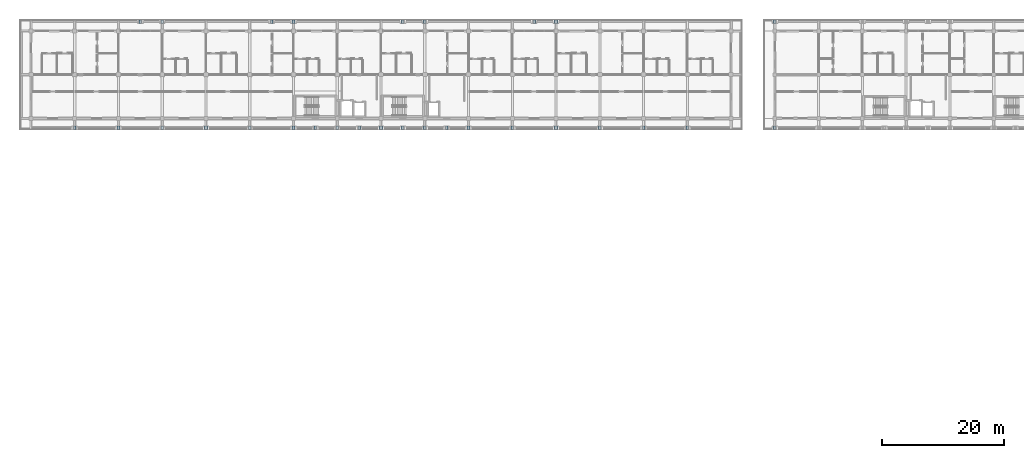
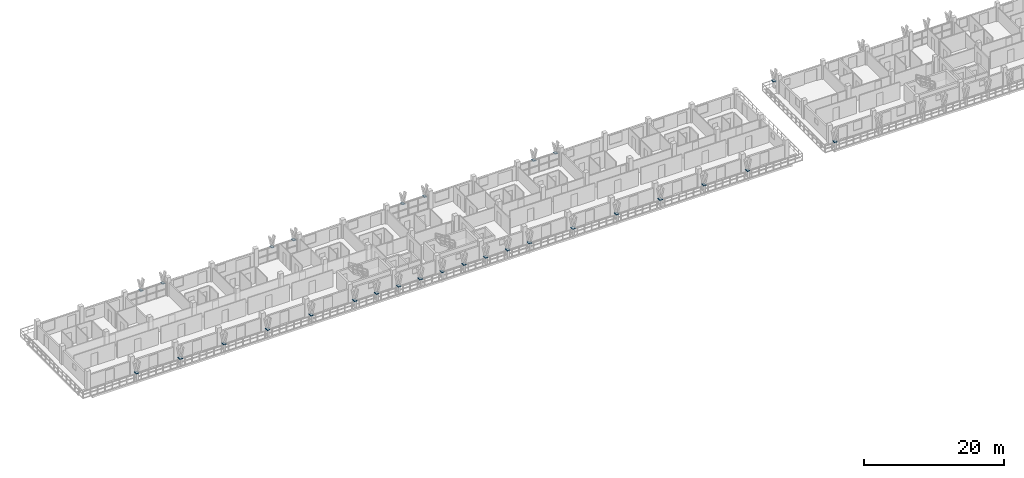
# One storey, part 38 of 78: 29 plates.
"""IFC4 building model written with IfcOpenShell, lengths in metres."""

from ifc_helpers import new_model, si_unit, direction, frame, origin, origin_2d, place, context, subcontext, project, spatial, rectangle, extrude, material, layer, layer_set, type_object, element, save


model = new_model("IFC4")

# Units and contexts
model_context = context("Model", 3, precision=1e-05, world=origin(), true_north=direction((0.0, 1.0)))
body_context = subcontext(model_context, "Body", "Model", "MODEL_VIEW")
ifc_project = project(units=[si_unit("LENGTHUNIT", "METRE"), si_unit("AREAUNIT", "SQUARE_METRE"), si_unit("VOLUMEUNIT", "CUBIC_METRE"), si_unit("PLANEANGLEUNIT", "RADIAN"), si_unit("MASSUNIT", "GRAM", prefix="KILO")], contexts=[model_context])

# Site, building, storey
site_placement = place(None, origin())
site = spatial("IfcSite", under=ifc_project, at=site_placement, CompositionType="ELEMENT")
building_placement = place(site_placement, origin())
building = spatial("IfcBuilding", under=site, at=building_placement, Name="Suanplinth Sawtooth Commons", CompositionType="ELEMENT")
storey_placement = place(building_placement, frame((0.0, 0.0, 15.39990234375)))
storey = spatial("IfcBuildingStorey", under=building, at=storey_placement, Name="L04", CompositionType="ELEMENT", Elevation=15.39990234375)

# Plates
ifc_material = material(Name="Pigmented precast concrete C40/50", Category="concrete")
ifc_layer = layer(ifc_material, 0.06005859375, Name="Precast Y-blade bifurcation node plate 60mm")
ifc_layer_set = layer_set([ifc_layer], Name="Pigmented precast concrete C40/50")
plate_type = type_object("IfcPlateType", Name="PL-04", PredefinedType="USERDEFINED", material=ifc_layer_set)
for number, where, z_axis, x_axis, name in (
    (1, (18.0, 123.919921875, 1.1201171875), (0.0, 0.0, 1.0), (1.0, 0.0, 0.0), "Y-Blade Node Plate L04-A-N-01"),
    (2, (21.60009765625, 123.919921875, 1.1201171875), (0.0, 0.0, 1.0), (1.0, 0.0, 0.0), "Y-Blade Node Plate L04-A-N-02"),
    (3, (39.60009765625, 123.919921875, 1.1201171875), (0.0, 0.0, 1.0), (1.0, 0.0, 0.0), "Y-Blade Node Plate L04-A-N-03"),
    (4, (43.199951171875, 123.919921875, 1.1201171875), (0.0, 0.0, 1.0), (1.0, 0.0, 0.0), "Y-Blade Node Plate L04-A-N-04"),
    (5, (61.199951171875, 123.919921875, 1.1201171875), (0.0, 0.0, 1.0), (1.0, 0.0, 0.0), "Y-Blade Node Plate L04-A-N-05"),
    (6, (64.800048828125, 123.919921875, 1.1201171875), (0.0, 0.0, 1.0), (1.0, 0.0, 0.0), "Y-Blade Node Plate L04-A-N-06"),
    (7, (82.800048828125, 123.919921875, 1.1201171875), (0.0, 0.0, 1.0), (1.0, 0.0, 0.0), "Y-Blade Node Plate L04-A-N-07"),
    (8, (86.39990234375, 123.919921875, 1.1201171875), (0.0, 0.0, 1.0), (1.0, 0.0, 0.0), "Y-Blade Node Plate L04-A-N-08"),
    (9, (7.199951171875, 106.47998046875, 1.1201171875), (0.0, 0.0, 1.0), (1.0, 0.0, 0.0), "Y-Blade Node Plate L04-A-S-09"),
    (10, (14.39990234375, 106.47998046875, 1.1201171875), (0.0, 0.0, 1.0), (1.0, 0.0, 0.0), "Y-Blade Node Plate L04-A-S-10"),
    (11, (21.60009765625, 106.47998046875, 1.1201171875), (0.0, 0.0, 1.0), (1.0, 0.0, 0.0), "Y-Blade Node Plate L04-A-S-11"),
    (12, (28.800048828125, 106.47998046875, 1.1201171875), (0.0, 0.0, 1.0), (1.0, 0.0, 0.0), "Y-Blade Node Plate L04-A-S-12"),
    (13, (36.0, 106.47998046875, 1.1201171875), (0.0, 0.0, 1.0), (1.0, 0.0, 0.0), "Y-Blade Node Plate L04-A-S-13"),
    (14, (43.199951171875, 106.47998046875, 1.1201171875), (0.0, 0.0, 1.0), (1.0, 0.0, 0.0), "Y-Blade Node Plate L04-A-S-14"),
    (15, (46.800048828125, 106.47998046875, 1.1201171875), (0.0, 0.0, 1.0), (1.0, 0.0, 0.0), "Y-Blade Node Plate L04-A-S-15"),
    (16, (50.39990234375, 106.47998046875, 1.1201171875), (0.0, 0.0, 1.0), (1.0, 0.0, 0.0), "Y-Blade Node Plate L04-A-S-16"),
    (17, (54.0, 106.47998046875, 1.1201171875), (0.0, 0.0, 1.0), (1.0, 0.0, 0.0), "Y-Blade Node Plate L04-A-S-17"),
    (18, (57.60009765625, 106.47998046875, 1.1201171875), (0.0, 0.0, 1.0), (1.0, 0.0, 0.0), "Y-Blade Node Plate L04-A-S-18"),
    (19, (61.199951171875, 106.47998046875, 1.1201171875), (0.0, 0.0, 1.0), (1.0, 0.0, 0.0), "Y-Blade Node Plate L04-A-S-19"),
    (20, (64.800048828125, 106.47998046875, 1.1201171875), (0.0, 0.0, 1.0), (1.0, 0.0, 0.0), "Y-Blade Node Plate L04-A-S-20"),
    (21, (68.39990234375, 106.47998046875, 1.1201171875), (0.0, 0.0, 1.0), (1.0, 0.0, 0.0), "Y-Blade Node Plate L04-A-S-21"),
    (22, (72.0, 106.47998046875, 1.1201171875), (0.0, 0.0, 1.0), (1.0, 0.0, 0.0), "Y-Blade Node Plate L04-A-S-22"),
    (23, (79.199951171875, 106.47998046875, 1.1201171875), (0.0, 0.0, 1.0), (1.0, 0.0, 0.0), "Y-Blade Node Plate L04-A-S-23"),
    (24, (86.39990234375, 106.47998046875, 1.1201171875), (0.0, 0.0, 1.0), (1.0, 0.0, 0.0), "Y-Blade Node Plate L04-A-S-24"),
    (25, (93.60009765625, 106.47998046875, 1.1201171875), (0.0, 0.0, 1.0), (1.0, 0.0, 0.0), "Y-Blade Node Plate L04-A-S-25"),
    (26, (100.800048828125, 106.47998046875, 1.1201171875), (0.0, 0.0, 1.0), (1.0, 0.0, 0.0), "Y-Blade Node Plate L04-A-S-26"),
    (27, (108.0, 106.47998046875, 1.1201171875), (0.0, 0.0, 1.0), (1.0, 0.0, 0.0), "Y-Blade Node Plate L04-A-S-27"),
    (28, (122.39990234375, 123.919921875, 1.1201171875), (0.0, 0.0, 1.0), (1.0, 0.0, 0.0), "Y-Blade Node Plate L04-B-N-01"),
    (29, (122.39990234375, 106.47998046875, 1.1201171875), (0.0, 0.0, 1.0), (1.0, 0.0, 0.0), "Y-Blade Node Plate L04-B-SC-16"),
):
    element("IfcPlate", number, at=place(storey_placement, frame(where, z_axis=z_axis, x_axis=x_axis)), inside=storey, type_object=plate_type, Name=name, ObjectType="GUSSET PLATE", PredefinedType="USERDEFINED", context=body_context, shape_type="SweptSolid", body=[
        extrude(rectangle(XDim=0.43994140625, YDim=0.550048828125, at=origin_2d()), origin(), (0.0, 0.0, 1.0), 0.06005859375),
    ])

save(model, "model.ifc")
